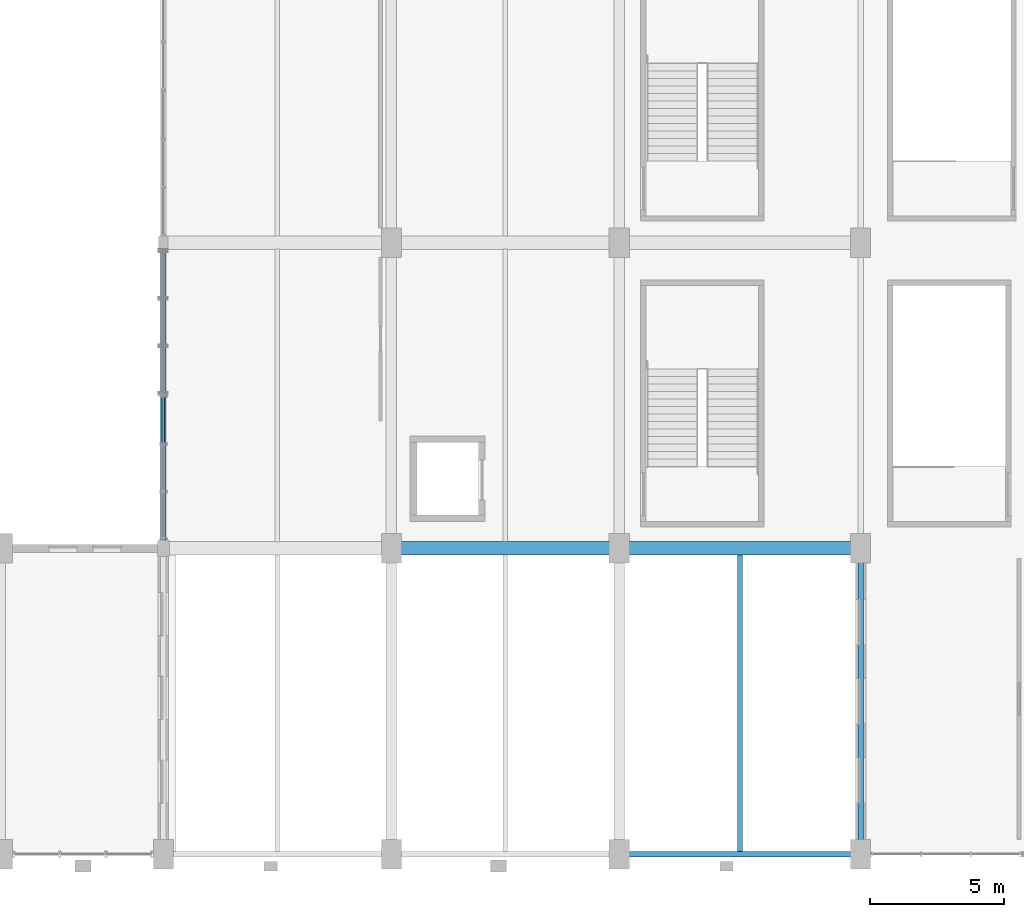
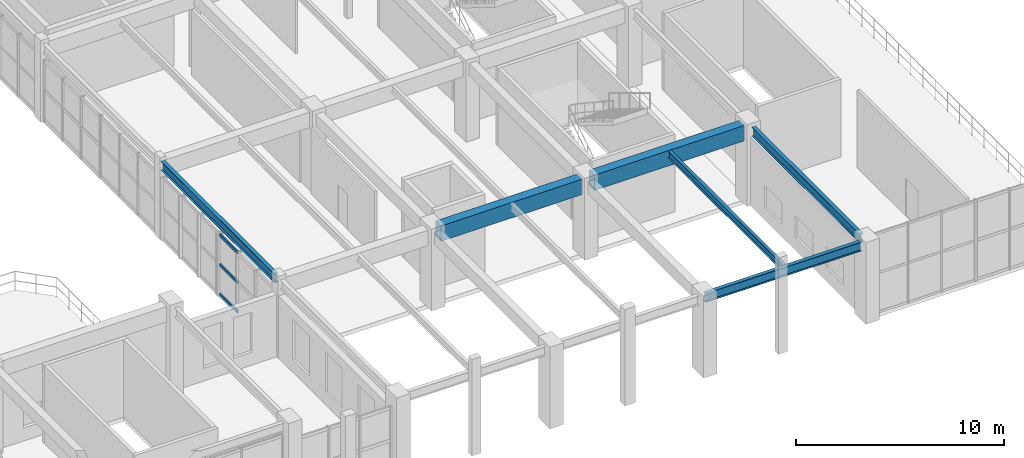
# One storey, part 36 of 106: 6 beams, 3 members, 1 element without a shape of its own.
"""IFC4 building model written with IfcOpenShell, lengths in metres."""

from ifc_helpers import new_model, si_unit, direction, frame, origin, origin_2d, place, context, subcontext, project, spatial, rectangle, hollow_rectangle, i_section, extrude, material, layer, layer_set, material_profile, profile_set, type_object, element, aggregate, save


model = new_model("IFC4")

# Units and contexts
model_context = context("Model", 3, precision=1e-05, world=origin(), true_north=direction((0.0, 1.0)))
body_context = subcontext(model_context, "Body", "Model", "MODEL_VIEW")
ifc_project = project(units=[si_unit("LENGTHUNIT", "METRE"), si_unit("AREAUNIT", "SQUARE_METRE"), si_unit("VOLUMEUNIT", "CUBIC_METRE"), si_unit("PLANEANGLEUNIT", "RADIAN"), si_unit("MASSUNIT", "GRAM", prefix="KILO"), si_unit("POWERUNIT", "WATT"), si_unit("THERMODYNAMICTEMPERATUREUNIT", "KELVIN")], contexts=[model_context])

# Site, building, storey
site_placement = place(None, origin())
site = spatial("IfcSite", under=ifc_project, at=site_placement, CompositionType="ELEMENT")
building_placement = place(site_placement, origin())
building = spatial("IfcBuilding", under=site, at=building_placement, Name="Kelmbourne Parkland Aquatics Centre", CompositionType="ELEMENT")
storey_placement = place(building_placement, frame((0.0, 0.0, 5.39990234375)))
storey = spatial("IfcBuildingStorey", under=building, at=storey_placement, Name="L01", CompositionType="ELEMENT", Elevation=5.39990234375)

# Beams
ifc_material_1 = material(Name="Concrete C40/50", Category="concrete")
ifc_material_profile_1 = material_profile(ifc_material_1, rectangle(XDim=0.5, YDim=0.89990234375, at=origin_2d()), Name="RC 500x900")
ifc_profile_set_1 = profile_set([ifc_material_profile_1], Name="Concrete C40/50")
beam_type_1 = type_object("IfcBeamType", Name="BM-G03", PredefinedType="BEAM", material=ifc_profile_set_1)
beam_1_placement = place(storey_placement, frame((110.830078125, 12.199951171875, 4.110107421875), z_axis=(1.0, 0.0, 0.0), x_axis=(0.0, 1.0, 0.0)))
element("IfcBeam", 1, at=beam_1_placement, inside=storey, type_object=beam_type_1, Name="Primary girder N-O Grid 03 (L02)", PredefinedType="BEAM", context=body_context, shape_type="SweptSolid", body=[
    extrude(rectangle(XDim=0.5, YDim=0.89990234375, at=origin_2d()), origin(), (0.0, 0.0, 1.0), 7.83984375),
])
beam_2_placement = place(storey_placement, frame((119.330078125, 12.199951171875, 4.110107421875), z_axis=(1.0, 0.0, 0.0), x_axis=(0.0, 1.0, 0.0)))
element("IfcBeam", 2, at=beam_2_placement, inside=storey, type_object=beam_type_1, Name="Primary girder O-P Grid 03 (L02)", PredefinedType="BEAM", context=body_context, shape_type="SweptSolid", body=[
    extrude(rectangle(XDim=0.5, YDim=0.89990234375, at=origin_2d()), origin(), (0.0, 0.0, 1.0), 8.33984375),
])
ifc_material_2 = material(Name="Structural steel AS/NZS 3679.1 Grade 300", Category="steel")
ifc_material_profile_2 = material_profile(ifc_material_2, i_section(OverallWidth=0.177978515625, OverallDepth=0.406005859375, WebThickness=0.0078125, FlangeThickness=0.0126953125, at=origin_2d()), Name="410UB59.7")
ifc_profile_set_2 = profile_set([ifc_material_profile_2], Name="Structural steel AS/NZS 3679.1 Grade 300")
beam_type_2 = type_object("IfcBeamType", Name="BM-J01", PredefinedType="JOIST", material=ifc_profile_set_2)
beam_3_placement = place(storey_placement, frame((123.5, 0.896484375, 4.357177734375), z_axis=(0.0, 1.0, 0.0), x_axis=(-1.0, 0.0, 0.0)))
element("IfcBeam", 3, at=beam_3_placement, inside=storey, type_object=beam_type_2, Name="Secondary floor joist O-P/01-03 #1 (L02)", PredefinedType="JOIST", context=body_context, shape_type="SweptSolid", body=[
    extrude(i_section(OverallWidth=0.177978515625, OverallDepth=0.406005859375, WebThickness=0.0078125, FlangeThickness=0.0126953125, at=origin_2d()), origin(), (0.0, 0.0, 1.0), 11.0615234375),
])
ifc_material_profile_3 = material_profile(ifc_material_2, i_section(OverallWidth=0.208984375, OverallDepth=0.532958984375, WebThickness=0.01025390625, FlangeThickness=0.015625, at=origin_2d()), Name="530UB92.4")
ifc_profile_set_3 = profile_set([ifc_material_profile_3], Name="Structural steel AS/NZS 3679.1 Grade 300")
beam_type_3 = type_object("IfcBeamType", Name="BM-SP02", PredefinedType="SPANDREL", material=ifc_profile_set_3)
beam_4_placement = place(storey_placement, frame((119.0, 0.800048828125, 4.293701171875), z_axis=(1.0, 0.0, 0.0), x_axis=(0.0, 1.0, 0.0)))
element("IfcBeam", 4, at=beam_4_placement, inside=storey, type_object=beam_type_3, Name="Perimeter spandrel O-P Grid 01 (L02)", PredefinedType="SPANDREL", context=body_context, shape_type="SweptSolid", body=[
    extrude(i_section(OverallWidth=0.208984375, OverallDepth=0.532958984375, WebThickness=0.01025390625, FlangeThickness=0.015625, at=origin_2d()), origin(), (0.0, 0.0, 1.0), 8.669921875),
])
beam_5_placement = place(storey_placement, frame((102.0, 12.455078125, 4.293701171875), z_axis=(0.0, 1.0, 0.0), x_axis=(-1.0, 0.0, 0.0)))
element("IfcBeam", 5, at=beam_5_placement, inside=storey, type_object=beam_type_3, Name="Perimeter spandrel 03-04 Grid M (L02)", PredefinedType="SPANDREL", context=body_context, shape_type="SweptSolid", body=[
    extrude(i_section(OverallWidth=0.208984375, OverallDepth=0.532958984375, WebThickness=0.01025390625, FlangeThickness=0.015625, at=origin_2d()), origin(), (0.0, 0.0, 1.0), 10.93994140625),
])
beam_6_placement = place(storey_placement, frame((128.0, 1.304931640625, 4.293701171875), z_axis=(0.0, 1.0, 0.0), x_axis=(-1.0, 0.0, 0.0)))
element("IfcBeam", 6, at=beam_6_placement, inside=storey, type_object=beam_type_3, Name="Perimeter spandrel 01-03 Grid P (L02)", PredefinedType="SPANDREL", context=body_context, shape_type="SweptSolid", body=[
    extrude(i_section(OverallWidth=0.208984375, OverallDepth=0.532958984375, WebThickness=0.01025390625, FlangeThickness=0.015625, at=origin_2d()), origin(), (0.0, 0.0, 1.0), 10.39013671875),
])

# Curtain wall, members
ifc_material_3 = material(Name="Thermally broken anodised aluminium framing", Category="aluminium")
ifc_layer = layer(ifc_material_3, 0.179931640625)
ifc_layer_set = layer_set([ifc_layer], Name="Thermally broken anodised aluminium framing")
curtain_wall_type = type_object("IfcCurtainWallType", Name="CW-20", PredefinedType="NOTDEFINED", material=ifc_layer_set)
curtain_wall_placement = place(storey_placement, origin())
curtain_wall = element("IfcCurtainWall", 7, at=curtain_wall_placement, inside=storey, type_object=curtain_wall_type, Name="Facade curtain wall CW-L01-188", PredefinedType="NOTDEFINED")
ifc_material_profile_4 = material_profile(ifc_material_3, hollow_rectangle(XDim=0.0849609375, YDim=0.179931640625, WallThickness=0.00439453125, at=origin_2d()), Name="CW-T 85x180")
ifc_profile_set_4 = profile_set([ifc_material_profile_4], Name="Thermally broken anodised aluminium framing")
member_type = type_object("IfcMemberType", Name="MB-TRN-3", PredefinedType="USERDEFINED", material=ifc_profile_set_4)
member_1_placement = place(storey_placement, frame((102.0, 16.14501953125, 0.093017578125), z_axis=(0.0, 1.0, 0.0), x_axis=(-1.0, 0.0, 0.0)))
member_1 = element("IfcMember", 8, at=member_1_placement, type_object=member_type, Name="CW-L01-188 transom 0-2", ObjectType="TRANSOM", PredefinedType="USERDEFINED", context=body_context, shape_type="SweptSolid", body=[
    extrude(hollow_rectangle(XDim=0.0849609375, YDim=0.179931640625, WallThickness=0.00439453125, at=origin_2d()), origin(), (0.0, 0.0, 1.0), 1.68896484375),
])
member_2_placement = place(storey_placement, frame((102.0, 16.14501953125, 1.822509765625), z_axis=(0.0, 1.0, 0.0), x_axis=(-1.0, 0.0, 0.0)))
member_2 = element("IfcMember", 9, at=member_2_placement, type_object=member_type, Name="CW-L01-188 transom 1-2", ObjectType="TRANSOM", PredefinedType="USERDEFINED", context=body_context, shape_type="SweptSolid", body=[
    extrude(hollow_rectangle(XDim=0.0849609375, YDim=0.179931640625, WallThickness=0.00439453125, at=origin_2d()), origin(), (0.0, 0.0, 1.0), 1.68896484375),
])
member_3_placement = place(storey_placement, frame((102.0, 16.14501953125, 3.552001953125), z_axis=(0.0, 1.0, 0.0), x_axis=(-1.0, 0.0, 0.0)))
member_3 = element("IfcMember", 10, at=member_3_placement, type_object=member_type, Name="CW-L01-188 transom 2-2", ObjectType="TRANSOM", PredefinedType="USERDEFINED", context=body_context, shape_type="SweptSolid", body=[
    extrude(hollow_rectangle(XDim=0.0849609375, YDim=0.179931640625, WallThickness=0.00439453125, at=origin_2d()), origin(), (0.0, 0.0, 1.0), 1.68896484375),
])
aggregate(curtain_wall, [member_1, member_2, member_3])

save(model, "model.ifc")
